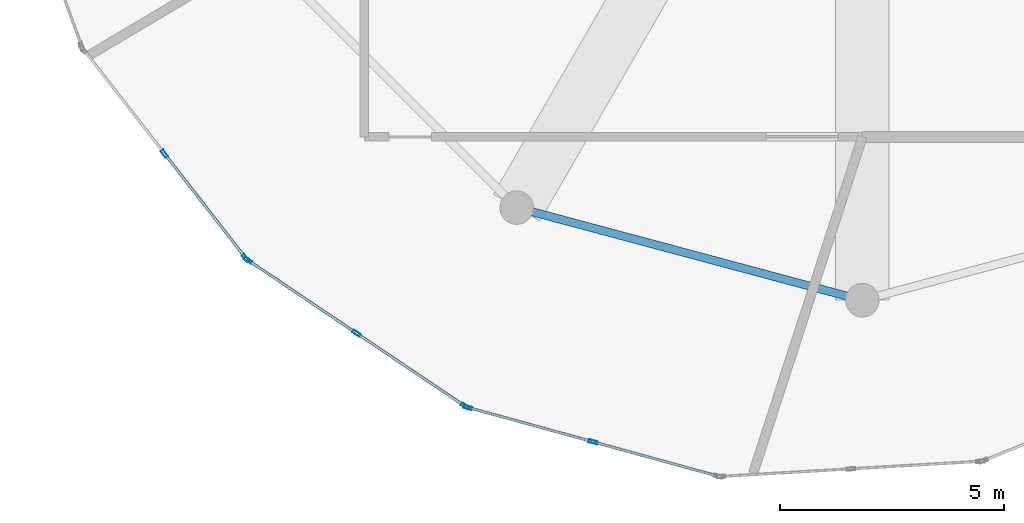
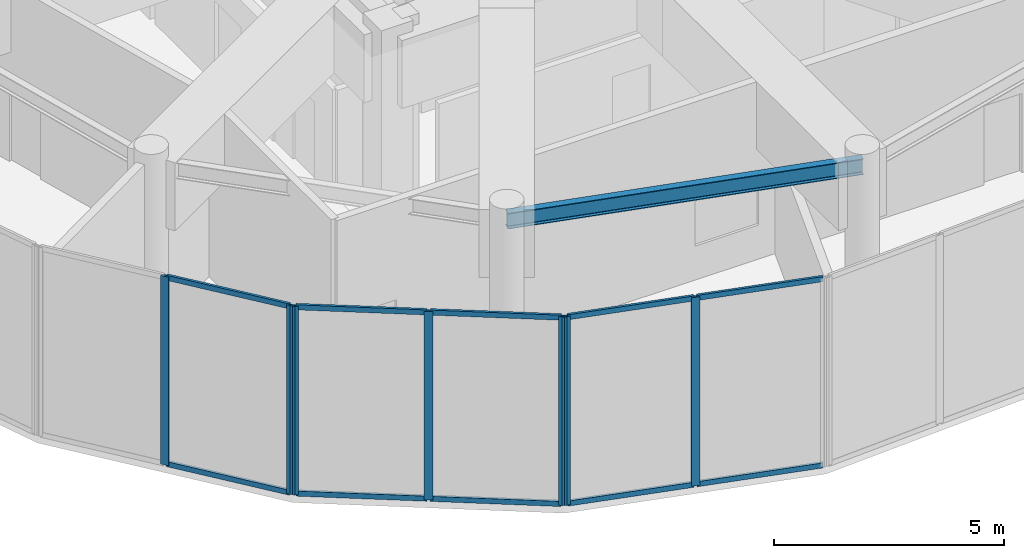
# One storey, part 2 of 20: 17 members, 1 beam, 3 elements without a shape of their own.
"""IFC4 building model written with IfcOpenShell, lengths in metres."""

from ifc_helpers import new_model, si_unit, direction, frame, origin, origin_2d, place, context, subcontext, project, spatial, hollow_rectangle, i_section, extrude, source, transform, mapped, material, layer, layer_set, material_profile, profile_set, type_object, element, aggregate, save


model = new_model("IFC4")

# Units and contexts
model_context = context("Model", 3, precision=1e-05, world=origin(), true_north=direction((0.0, 1.0)))
body_context = subcontext(model_context, "Body", "Model", "MODEL_VIEW")
ifc_project = project(units=[si_unit("LENGTHUNIT", "METRE"), si_unit("AREAUNIT", "SQUARE_METRE"), si_unit("VOLUMEUNIT", "CUBIC_METRE"), si_unit("PLANEANGLEUNIT", "RADIAN"), si_unit("MASSUNIT", "GRAM", prefix="KILO")], contexts=[model_context])

# Site, building, storey
site_placement = place(None, origin())
site = spatial("IfcSite", under=ifc_project, at=site_placement, CompositionType="ELEMENT")
building_placement = place(site_placement, origin())
building = spatial("IfcBuilding", under=site, at=building_placement, Name="Solvirekh Grand Hotel", CompositionType="ELEMENT")
storey_placement = place(building_placement, frame((0.0, 0.0, 297.199951171875)))
storey = spatial("IfcBuildingStorey", under=building, at=storey_placement, Name="L77", CompositionType="ELEMENT", Elevation=297.199951171875)

# Beam
ifc_material_1 = material(Name="Steel S355", Category="steel")
ifc_material_profile_1 = material_profile(ifc_material_1, i_section(OverallWidth=0.180908203125, OverallDepth=0.4169921875, WebThickness=0.010009765625, FlangeThickness=0.01611328125, FilletRadius=0.011962890625, at=origin_2d()), Name="W410X85")
ifc_profile_set_1 = profile_set([ifc_material_profile_1], Name="Steel S355")
beam_type = type_object("IfcBeamType", Name="Spandrel_Ring_W410", PredefinedType="SPANDREL", material=ifc_profile_set_1)
beam_placement = place(storey_placement, frame((-7.72509765625, -13.3798828125, 4.470947265625), z_axis=(0.965921616143, -0.258834757072, 0.0), x_axis=(0.258834757072, 0.965921616143, 0.0)))
element("IfcBeam", 1, at=beam_placement, inside=storey, type_object=beam_type, Name="L77 perimeter spandrel beam 9", PredefinedType="SPANDREL", context=body_context, shape_type="SweptSolid", body=[
    extrude(i_section(OverallWidth=0.180908203125, OverallDepth=0.4169921875, WebThickness=0.010009765625, FlangeThickness=0.01611328125, FilletRadius=0.011962890625, at=origin_2d()), origin(), (0.0, 0.0, 1.0), 7.99755859375),
])

# Curtain wall, members
ifc_material_2 = material(Name="Anodized Bronze Aluminium 6063-T6", Category="aluminium")
ifc_layer = layer(ifc_material_2, 0.18994140625)
ifc_layer_set = layer_set([ifc_layer], Name="Anodized Bronze Aluminium 6063-T6")
curtain_wall_type = type_object("IfcCurtainWallType", Name="CW_Sys5_SkyLobbyPanoramaCW", PredefinedType="NOTDEFINED", material=ifc_layer_set)
curtain_wall_1_placement = place(storey_placement, origin())
curtain_wall_1 = element("IfcCurtainWall", 2, at=curtain_wall_1_placement, inside=storey, type_object=curtain_wall_type, Name="L77 unitised bronze-glass curtain wall CW-L77-C19", PredefinedType="NOTDEFINED")
ifc_material_profile_2 = material_profile(ifc_material_2, hollow_rectangle(XDim=0.06005859375, YDim=0.135009765625, WallThickness=0.00390625, at=origin_2d()), Name="ALU RHS 135X60X4")
ifc_profile_set_2 = profile_set([ifc_material_profile_2], Name="Anodized Bronze Aluminium 6063-T6")
member_type_1 = type_object("IfcMemberType", Name="CWTransom_Sys5", PredefinedType="USERDEFINED", material=ifc_profile_set_2)
shared_shape_1 = source(origin(), body_context, "Body", "SweptSolid", [
    extrude(hollow_rectangle(XDim=0.06005859375, YDim=0.135009765625, WallThickness=0.00390625, at=origin_2d()), origin(), (0.0, 0.0, 1.0), 2.8525390625),
])
member_1_placement = place(storey_placement, frame((-11.2763671875, -16.20703125, 0.030029296875), z_axis=(0.82983163672, -0.558013848124, 0.0), x_axis=(0.558013848124, 0.82983163672, 0.0)))
member_1 = element("IfcMember", 3, at=member_1_placement, type_object=member_type_1, Name="U05 transom 2.1", ObjectType="TRANSOM", PredefinedType="USERDEFINED", context=body_context, shape_type="MappedRepresentation", body=[
    mapped(shared_shape_1, transform((0.0, 0.0, 0.0), x_axis=(1.0, 0.0, 0.0), y_axis=(0.0, 1.0, 0.0), z_axis=(0.0, 0.0, 1.0), scale=1.0)),
])
member_2_placement = place(storey_placement, frame((-11.2763671875, -16.20703125, 4.969970703125), z_axis=(0.82983163672, -0.558013848124, 0.0), x_axis=(0.558013848124, 0.82983163672, 0.0)))
member_2 = element("IfcMember", 4, at=member_2_placement, type_object=member_type_1, Name="U05 transom 2.2", ObjectType="TRANSOM", PredefinedType="USERDEFINED", context=body_context, shape_type="MappedRepresentation", body=[
    mapped(shared_shape_1, transform((0.0, 0.0, 0.0), x_axis=(1.0, 0.0, 0.0), y_axis=(0.0, 1.0, 0.0), z_axis=(0.0, 0.0, 1.0), scale=1.0)),
])

curtain_wall_2_placement = place(storey_placement, origin())
curtain_wall_2 = element("IfcCurtainWall", 5, at=curtain_wall_2_placement, inside=storey, type_object=curtain_wall_type, Name="L77 unitised bronze-glass curtain wall CW-L77-C18", PredefinedType="NOTDEFINED")
ifc_material_profile_3 = material_profile(ifc_material_2, hollow_rectangle(XDim=0.070068359375, YDim=0.18994140625, WallThickness=0.0048828125, at=origin_2d()), Name="ALU RHS 190X70X5")
ifc_profile_set_3 = profile_set([ifc_material_profile_3], Name="Anodized Bronze Aluminium 6063-T6")
member_type_2 = type_object("IfcMemberType", Name="CWMullion_Sys5", PredefinedType="MULLION", material=ifc_profile_set_3)
shared_shape_2 = source(origin(), body_context, "Body", "SweptSolid", [
    extrude(hollow_rectangle(XDim=0.070068359375, YDim=0.18994140625, WallThickness=0.0048828125, at=origin_2d()), origin(), (0.0, 0.0, 1.0), 5.0),
])
member_3_placement = place(storey_placement, frame((-15.596923828125, -12.175048828125, 0.0), z_axis=(0.0, 0.0, 1.0), x_axis=(0.789370212192, 0.613917476624, 0.0)))
member_3 = element("IfcMember", 6, at=member_3_placement, type_object=member_type_2, Name="U05 mullion 2", PredefinedType="MULLION", context=body_context, shape_type="MappedRepresentation", body=[
    mapped(shared_shape_2, transform((0.0, 0.0, 0.0), x_axis=(1.0, 0.0, 0.0), y_axis=(0.0, 1.0, 0.0), z_axis=(0.0, 0.0, 1.0), scale=1.0)),
])
member_4_placement = place(storey_placement, frame((-13.781494140625, -14.50927734375, 0.0), z_axis=(0.0, 0.0, 1.0), x_axis=(0.789370212192, 0.613917476624, 0.0)))
member_4 = element("IfcMember", 7, at=member_4_placement, type_object=member_type_2, Name="U05 mullion 3", PredefinedType="MULLION", context=body_context, shape_type="MappedRepresentation", body=[
    mapped(shared_shape_2, transform((0.0, 0.0, 0.0), x_axis=(1.0, 0.0, 0.0), y_axis=(0.0, 1.0, 0.0), z_axis=(0.0, 0.0, 1.0), scale=1.0)),
])

# Member
member_5_placement = place(storey_placement, frame((-13.73095703125, -14.556640625, 0.0), z_axis=(0.0, 0.0, 1.0), x_axis=(0.558011639084, 0.829833122168, 0.0)))
member_5 = element("IfcMember", 8, at=member_5_placement, type_object=member_type_2, Name="U05 mullion 1", PredefinedType="MULLION", context=body_context, shape_type="MappedRepresentation", body=[
    mapped(shared_shape_2, transform((0.0, 0.0, 0.0), x_axis=(1.0, 0.0, 0.0), y_axis=(0.0, 1.0, 0.0), z_axis=(0.0, 0.0, 1.0), scale=1.0)),
])

member_6_placement = place(storey_placement, frame((-11.305419921875, -16.1875, 0.0), z_axis=(0.0, 0.0, 1.0), x_axis=(0.558011639084, 0.829833122168, 0.0)))
member_6 = element("IfcMember", 9, at=member_6_placement, type_object=member_type_2, Name="U05 mullion 2", PredefinedType="MULLION", context=body_context, shape_type="MappedRepresentation", body=[
    mapped(shared_shape_2, transform((0.0, 0.0, 0.0), x_axis=(1.0, 0.0, 0.0), y_axis=(0.0, 1.0, 0.0), z_axis=(0.0, 0.0, 1.0), scale=1.0)),
])

member_7_placement = place(storey_placement, frame((-8.880126953125, -17.818359375, 0.0), z_axis=(0.0, 0.0, 1.0), x_axis=(0.558011639084, 0.829833122168, 0.0)))
member_7 = element("IfcMember", 10, at=member_7_placement, type_object=member_type_2, Name="U05 mullion 3", PredefinedType="MULLION", context=body_context, shape_type="MappedRepresentation", body=[
    mapped(shared_shape_2, transform((0.0, 0.0, 0.0), x_axis=(1.0, 0.0, 0.0), y_axis=(0.0, 1.0, 0.0), z_axis=(0.0, 0.0, 1.0), scale=1.0)),
])

# Curtain wall, members
curtain_wall_3_placement = place(storey_placement, origin())
curtain_wall_3 = element("IfcCurtainWall", 11, at=curtain_wall_3_placement, inside=storey, type_object=curtain_wall_type, Name="L77 unitised bronze-glass curtain wall CW-L77-C20", PredefinedType="NOTDEFINED")
member_8_placement = place(storey_placement, frame((-8.817138671875, -17.84716796875, 0.0), z_axis=(0.0, 0.0, 1.0), x_axis=(0.264788393532, 0.964306541848, 0.0)))
member_8 = element("IfcMember", 12, at=member_8_placement, type_object=member_type_2, Name="U05 mullion 1", PredefinedType="MULLION", context=body_context, shape_type="MappedRepresentation", body=[
    mapped(shared_shape_2, transform((0.0, 0.0, 0.0), x_axis=(1.0, 0.0, 0.0), y_axis=(0.0, 1.0, 0.0), z_axis=(0.0, 0.0, 1.0), scale=1.0)),
])
member_9_placement = place(storey_placement, frame((-6.01953125, -18.615478515625, 0.0), z_axis=(0.0, 0.0, 1.0), x_axis=(0.264788393532, 0.964306541848, 0.0)))
member_9 = element("IfcMember", 13, at=member_9_placement, type_object=member_type_2, Name="U05 mullion 2", PredefinedType="MULLION", context=body_context, shape_type="MappedRepresentation", body=[
    mapped(shared_shape_2, transform((0.0, 0.0, 0.0), x_axis=(1.0, 0.0, 0.0), y_axis=(0.0, 1.0, 0.0), z_axis=(0.0, 0.0, 1.0), scale=1.0)),
])

# Member
shared_shape_3 = source(origin(), body_context, "Body", "SweptSolid", [
    extrude(hollow_rectangle(XDim=0.06005859375, YDim=0.135009765625, WallThickness=0.00390625, at=origin_2d()), origin(), (0.0, 0.0, 1.0), 2.852783203125),
])
member_10_placement = place(storey_placement, frame((-13.701904296875, -14.576171875, 0.030029296875), z_axis=(0.829858283275, -0.557974219548, 0.0), x_axis=(0.557974219548, 0.829858283275, 0.0)))
member_10 = element("IfcMember", 14, at=member_10_placement, type_object=member_type_1, Name="U05 transom 1.1", ObjectType="TRANSOM", PredefinedType="USERDEFINED", context=body_context, shape_type="MappedRepresentation", body=[
    mapped(shared_shape_3, transform((0.0, 0.0, 0.0), x_axis=(1.0, 0.0, 0.0), y_axis=(0.0, 1.0, 0.0), z_axis=(0.0, 0.0, 1.0), scale=1.0)),
])

member_11_placement = place(storey_placement, frame((-13.701904296875, -14.576171875, 4.969970703125), z_axis=(0.829858283275, -0.557974219548, 0.0), x_axis=(0.557974219548, 0.829858283275, 0.0)))
member_11 = element("IfcMember", 15, at=member_11_placement, type_object=member_type_1, Name="U05 transom 1.2", ObjectType="TRANSOM", PredefinedType="USERDEFINED", context=body_context, shape_type="MappedRepresentation", body=[
    mapped(shared_shape_3, transform((0.0, 0.0, 0.0), x_axis=(1.0, 0.0, 0.0), y_axis=(0.0, 1.0, 0.0), z_axis=(0.0, 0.0, 1.0), scale=1.0)),
])

aggregate(curtain_wall_1, [member_5, member_6, member_7, member_10, member_11, member_1, member_2])

shared_shape_4 = source(origin(), body_context, "Body", "SweptSolid", [
    extrude(hollow_rectangle(XDim=0.06005859375, YDim=0.135009765625, WallThickness=0.00390625, at=origin_2d()), origin(), (0.0, 0.0, 1.0), 2.88720703125),
])
member_12_placement = place(storey_placement, frame((-15.575439453125, -12.20263671875, 0.030029296875), z_axis=(0.61391134205, -0.7893749832, 0.0), x_axis=(0.7893749832, 0.61391134205, 0.0)))
member_12 = element("IfcMember", 16, at=member_12_placement, type_object=member_type_1, Name="U05 transom 2.1", ObjectType="TRANSOM", PredefinedType="USERDEFINED", context=body_context, shape_type="MappedRepresentation", body=[
    mapped(shared_shape_4, transform((0.0, 0.0, 0.0), x_axis=(1.0, 0.0, 0.0), y_axis=(0.0, 1.0, 0.0), z_axis=(0.0, 0.0, 1.0), scale=1.0)),
])

member_13_placement = place(storey_placement, frame((-15.575439453125, -12.20263671875, 4.969970703125), z_axis=(0.61391134205, -0.7893749832, 0.0), x_axis=(0.7893749832, 0.61391134205, 0.0)))
member_13 = element("IfcMember", 17, at=member_13_placement, type_object=member_type_1, Name="U05 transom 2.2", ObjectType="TRANSOM", PredefinedType="USERDEFINED", context=body_context, shape_type="MappedRepresentation", body=[
    mapped(shared_shape_4, transform((0.0, 0.0, 0.0), x_axis=(1.0, 0.0, 0.0), y_axis=(0.0, 1.0, 0.0), z_axis=(0.0, 0.0, 1.0), scale=1.0)),
])

aggregate(curtain_wall_2, [member_3, member_4, member_12, member_13])

shared_shape_5 = source(origin(), body_context, "Body", "SweptSolid", [
    extrude(hollow_rectangle(XDim=0.06005859375, YDim=0.135009765625, WallThickness=0.00390625, at=origin_2d()), origin(), (0.0, 0.0, 1.0), 2.831298828125),
])
member_14_placement = place(storey_placement, frame((-8.783447265625, -17.8564453125, 0.030029296875), z_axis=(0.96430067857, -0.264809745497, 0.0), x_axis=(0.264809745497, 0.96430067857, 0.0)))
member_14 = element("IfcMember", 18, at=member_14_placement, type_object=member_type_1, Name="U05 transom 1.1", ObjectType="TRANSOM", PredefinedType="USERDEFINED", context=body_context, shape_type="MappedRepresentation", body=[
    mapped(shared_shape_5, transform((0.0, 0.0, 0.0), x_axis=(1.0, 0.0, 0.0), y_axis=(0.0, 1.0, 0.0), z_axis=(0.0, 0.0, 1.0), scale=1.0)),
])

member_15_placement = place(storey_placement, frame((-8.783447265625, -17.8564453125, 4.969970703125), z_axis=(0.96430067857, -0.264809745497, 0.0), x_axis=(0.264809745497, 0.96430067857, 0.0)))
member_15 = element("IfcMember", 19, at=member_15_placement, type_object=member_type_1, Name="U05 transom 1.2", ObjectType="TRANSOM", PredefinedType="USERDEFINED", context=body_context, shape_type="MappedRepresentation", body=[
    mapped(shared_shape_5, transform((0.0, 0.0, 0.0), x_axis=(1.0, 0.0, 0.0), y_axis=(0.0, 1.0, 0.0), z_axis=(0.0, 0.0, 1.0), scale=1.0)),
])

member_16_placement = place(storey_placement, frame((-5.98583984375, -18.624755859375, 0.030029296875), z_axis=(0.96430067857, -0.264809745497, 0.0), x_axis=(0.264809745497, 0.96430067857, 0.0)))
member_16 = element("IfcMember", 20, at=member_16_placement, type_object=member_type_1, Name="U05 transom 2.1", ObjectType="TRANSOM", PredefinedType="USERDEFINED", context=body_context, shape_type="MappedRepresentation", body=[
    mapped(shared_shape_5, transform((0.0, 0.0, 0.0), x_axis=(1.0, 0.0, 0.0), y_axis=(0.0, 1.0, 0.0), z_axis=(0.0, 0.0, 1.0), scale=1.0)),
])

member_17_placement = place(storey_placement, frame((-5.98583984375, -18.624755859375, 4.969970703125), z_axis=(0.96430067857, -0.264809745497, 0.0), x_axis=(0.264809745497, 0.96430067857, 0.0)))
member_17 = element("IfcMember", 21, at=member_17_placement, type_object=member_type_1, Name="U05 transom 2.2", ObjectType="TRANSOM", PredefinedType="USERDEFINED", context=body_context, shape_type="MappedRepresentation", body=[
    mapped(shared_shape_5, transform((0.0, 0.0, 0.0), x_axis=(1.0, 0.0, 0.0), y_axis=(0.0, 1.0, 0.0), z_axis=(0.0, 0.0, 1.0), scale=1.0)),
])

aggregate(curtain_wall_3, [member_8, member_9, member_14, member_15, member_16, member_17])

save(model, "model.ifc")
